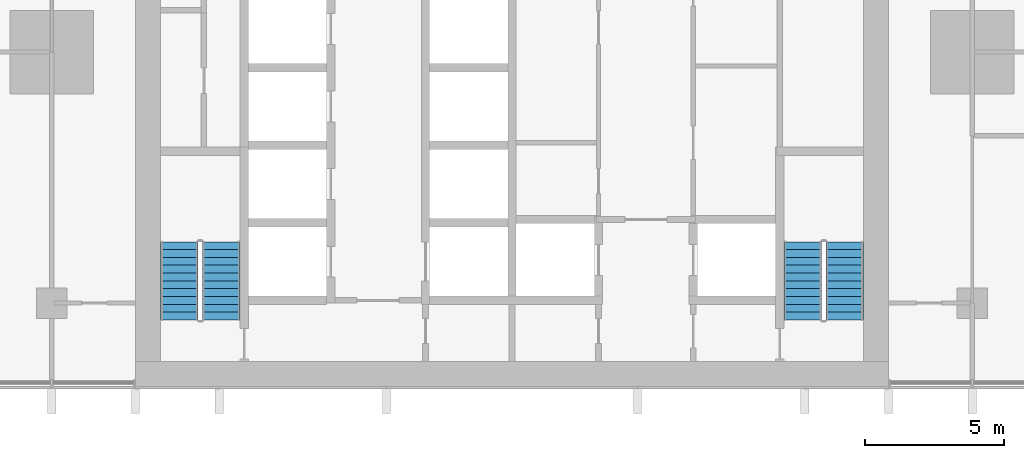
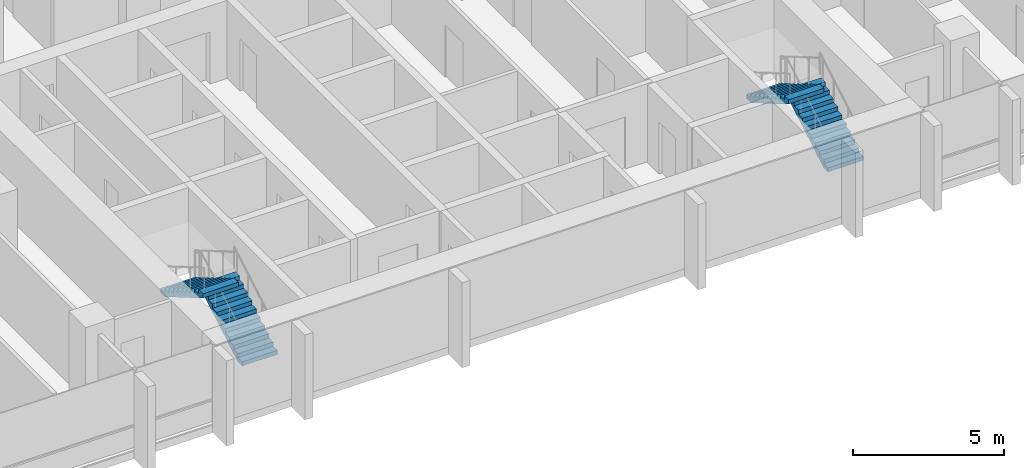
# One storey, part 13 of 18: 4 stair flights, 2 elements without a shape of their own.
"""IFC4 building model written with IfcOpenShell, lengths in metres."""

from ifc_helpers import new_model, si_unit, direction, frame, origin, place, context, subcontext, project, spatial, polyline, outline, extrude, material, type_object, element, aggregate, save


model = new_model("IFC4")

# Units and contexts
model_context = context("Model", 3, precision=1e-05, world=origin(), true_north=direction((0.0, 1.0)))
body_context = subcontext(model_context, "Body", "Model", "MODEL_VIEW")
ifc_project = project(units=[si_unit("LENGTHUNIT", "METRE"), si_unit("AREAUNIT", "SQUARE_METRE"), si_unit("VOLUMEUNIT", "CUBIC_METRE"), si_unit("PLANEANGLEUNIT", "RADIAN"), si_unit("MASSUNIT", "GRAM", prefix="KILO")], contexts=[model_context])

# Site, building, storey
site_placement = place(None, origin())
site = spatial("IfcSite", under=ifc_project, at=site_placement, CompositionType="ELEMENT")
building_placement = place(site_placement, origin())
building = spatial("IfcBuilding", under=site, at=building_placement, Name="Finial Court Residences", CompositionType="ELEMENT")
storey_placement = place(building_placement, frame((0.0, 0.0, 72.10009765625)))
storey = spatial("IfcBuildingStorey", under=building, at=storey_placement, Name="L17", CompositionType="ELEMENT", Elevation=72.10009765625)

# Stair, stair flights
ifc_material = material(Name="Concrete C50/60", Category="concrete")
stair_type = type_object("IfcStairType", Name="Exit stair 22 risers of 163.6 mm", PredefinedType="HALF_TURN_STAIR", material=ifc_material)
stair_1_placement = place(storey_placement, origin())
stair_1 = element("IfcStair", 1, at=stair_1_placement, inside=storey, type_object=stair_type, Name="L17 Exit stair ST-1", PredefinedType="HALF_TURN_STAIR")
stair_flight_type = type_object("IfcStairFlightType", Name="Exit stair flight", PredefinedType="STRAIGHT", material=ifc_material)
stair_flight_1_placement = place(storey_placement, frame((-10.425048828125, -23.10009765625, 0.0), z_axis=(0.0, 0.0, 1.0), x_axis=(0.0, 1.0, 0.0)))
stair_flight_1 = element("IfcStairFlight", 2, at=stair_flight_1_placement, type_object=stair_flight_type, Name="ST-1 flight 1", NumberOfRisers=11, NumberOfTreads=10, PredefinedType="STRAIGHT", RiserHeight=0.163636364, TreadLength=0.28, context=body_context, shape_type="SweptSolid", body=[
    extrude(outline(polyline([(0.0, 0.0), (0.0, 0.16357421875), (0.280029296875, 0.16357421875), (0.280029296875, 0.327392578125), (0.56005859375, 0.327392578125), (0.56005859375, 0.490966796875), (0.840087890625, 0.490966796875), (0.840087890625, 0.654541015625), (1.1201171875, 0.654541015625), (1.1201171875, 0.818115234375), (1.39990234375, 0.818115234375), (1.39990234375, 0.98193359375), (1.679931640625, 0.98193359375), (1.679931640625, 1.1455078125), (1.9599609375, 1.1455078125), (1.9599609375, 1.30908203125), (2.239990234375, 1.30908203125), (2.239990234375, 1.47265625), (2.52001953125, 1.47265625), (2.52001953125, 1.636474609375), (2.800048828125, 1.636474609375), (2.800048828125, 1.800048828125), (2.800048828125, 1.462646484375), (0.297119140625, 0.0), (0.0, 0.0)])), frame((0.0, 0.675048828125, 0.0), z_axis=(0.0, -1.0, 0.0), x_axis=(1.0, 0.0, 0.0)), (0.0, 0.0, 1.0), 1.35009765625),
])
stair_flight_2_placement = place(storey_placement, frame((-11.925048828125, -20.300048828125, 1.7998046875), z_axis=(0.0, 0.0, 1.0), x_axis=(0.0, -1.0, 0.0)))
stair_flight_2 = element("IfcStairFlight", 3, at=stair_flight_2_placement, type_object=stair_flight_type, Name="ST-1 flight 2", NumberOfRisers=11, NumberOfTreads=10, PredefinedType="STRAIGHT", RiserHeight=0.163636364, TreadLength=0.28, context=body_context, shape_type="SweptSolid", body=[
    extrude(outline(polyline([(0.0, 0.0), (0.0, 0.16357421875), (0.280029296875, 0.16357421875), (0.280029296875, 0.327392578125), (0.56005859375, 0.327392578125), (0.56005859375, 0.490966796875), (0.840087890625, 0.490966796875), (0.840087890625, 0.654541015625), (1.1201171875, 0.654541015625), (1.1201171875, 0.818115234375), (1.39990234375, 0.818115234375), (1.39990234375, 0.98193359375), (1.679931640625, 0.98193359375), (1.679931640625, 1.1455078125), (1.9599609375, 1.1455078125), (1.9599609375, 1.30908203125), (2.239990234375, 1.30908203125), (2.239990234375, 1.47265625), (2.52001953125, 1.47265625), (2.52001953125, 1.636474609375), (2.800048828125, 1.636474609375), (2.800048828125, 1.800048828125), (2.800048828125, 1.462646484375), (0.297119140625, 0.0), (0.0, 0.0)])), frame((0.0, 0.675048828125, 0.0), z_axis=(0.0, -1.0, 0.0), x_axis=(1.0, 0.0, 0.0)), (0.0, 0.0, 1.0), 1.35009765625),
])
aggregate(stair_1, [stair_flight_1, stair_flight_2])

stair_2_placement = place(storey_placement, origin())
stair_2 = element("IfcStair", 4, at=stair_2_placement, inside=storey, type_object=stair_type, Name="L17 Exit stair ST-2", PredefinedType="HALF_TURN_STAIR")
stair_flight_3_placement = place(storey_placement, frame((11.925048828125, -23.10009765625, 0.0), z_axis=(0.0, 0.0, 1.0), x_axis=(0.0, 1.0, 0.0)))
stair_flight_3 = element("IfcStairFlight", 5, at=stair_flight_3_placement, type_object=stair_flight_type, Name="ST-2 flight 1", NumberOfRisers=11, NumberOfTreads=10, PredefinedType="STRAIGHT", RiserHeight=0.163636364, TreadLength=0.28, context=body_context, shape_type="SweptSolid", body=[
    extrude(outline(polyline([(0.0, 0.0), (0.0, 0.16357421875), (0.280029296875, 0.16357421875), (0.280029296875, 0.327392578125), (0.56005859375, 0.327392578125), (0.56005859375, 0.490966796875), (0.840087890625, 0.490966796875), (0.840087890625, 0.654541015625), (1.1201171875, 0.654541015625), (1.1201171875, 0.818115234375), (1.39990234375, 0.818115234375), (1.39990234375, 0.98193359375), (1.679931640625, 0.98193359375), (1.679931640625, 1.1455078125), (1.9599609375, 1.1455078125), (1.9599609375, 1.30908203125), (2.239990234375, 1.30908203125), (2.239990234375, 1.47265625), (2.52001953125, 1.47265625), (2.52001953125, 1.636474609375), (2.800048828125, 1.636474609375), (2.800048828125, 1.800048828125), (2.800048828125, 1.462646484375), (0.297119140625, 0.0), (0.0, 0.0)])), frame((0.0, 0.675048828125, 0.0), z_axis=(0.0, -1.0, 0.0), x_axis=(1.0, 0.0, 0.0)), (0.0, 0.0, 1.0), 1.35009765625),
])
stair_flight_4_placement = place(storey_placement, frame((10.425048828125, -20.300048828125, 1.7998046875), z_axis=(0.0, 0.0, 1.0), x_axis=(0.0, -1.0, 0.0)))
stair_flight_4 = element("IfcStairFlight", 6, at=stair_flight_4_placement, type_object=stair_flight_type, Name="ST-2 flight 2", NumberOfRisers=11, NumberOfTreads=10, PredefinedType="STRAIGHT", RiserHeight=0.163636364, TreadLength=0.28, context=body_context, shape_type="SweptSolid", body=[
    extrude(outline(polyline([(0.0, 0.0), (0.0, 0.16357421875), (0.280029296875, 0.16357421875), (0.280029296875, 0.327392578125), (0.56005859375, 0.327392578125), (0.56005859375, 0.490966796875), (0.840087890625, 0.490966796875), (0.840087890625, 0.654541015625), (1.1201171875, 0.654541015625), (1.1201171875, 0.818115234375), (1.39990234375, 0.818115234375), (1.39990234375, 0.98193359375), (1.679931640625, 0.98193359375), (1.679931640625, 1.1455078125), (1.9599609375, 1.1455078125), (1.9599609375, 1.30908203125), (2.239990234375, 1.30908203125), (2.239990234375, 1.47265625), (2.52001953125, 1.47265625), (2.52001953125, 1.636474609375), (2.800048828125, 1.636474609375), (2.800048828125, 1.800048828125), (2.800048828125, 1.462646484375), (0.297119140625, 0.0), (0.0, 0.0)])), frame((0.0, 0.675048828125, 0.0), z_axis=(0.0, -1.0, 0.0), x_axis=(1.0, 0.0, 0.0)), (0.0, 0.0, 1.0), 1.35009765625),
])
aggregate(stair_2, [stair_flight_3, stair_flight_4])

save(model, "model.ifc")
